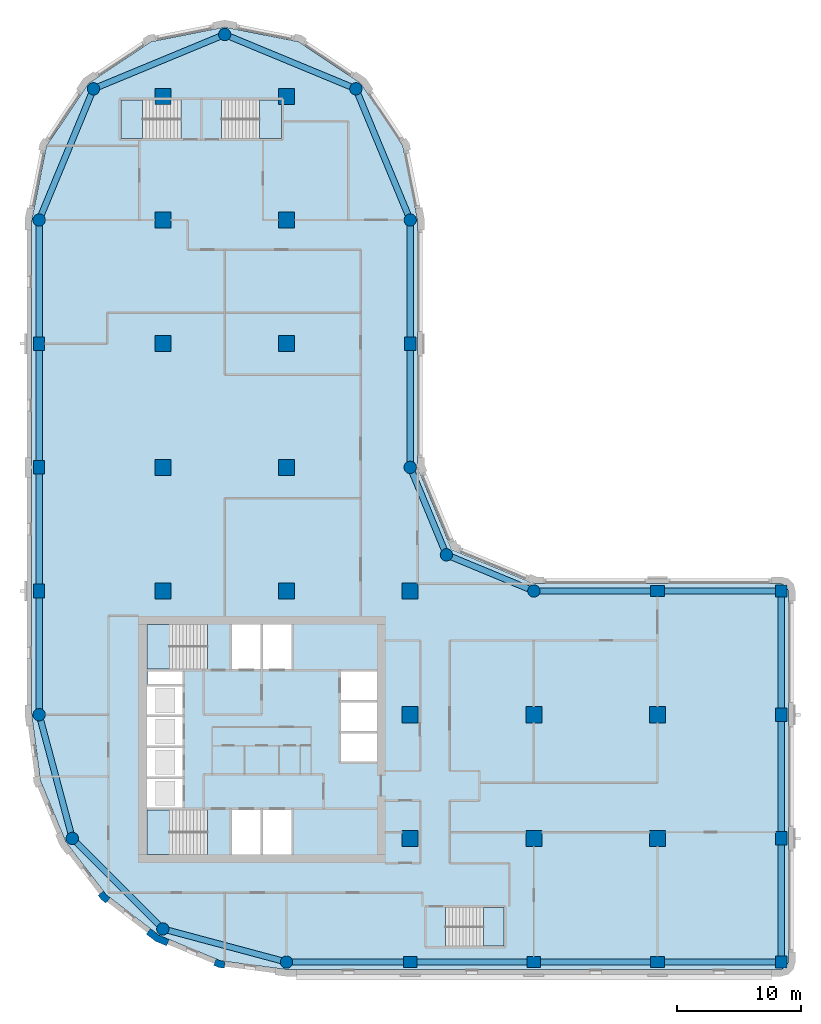
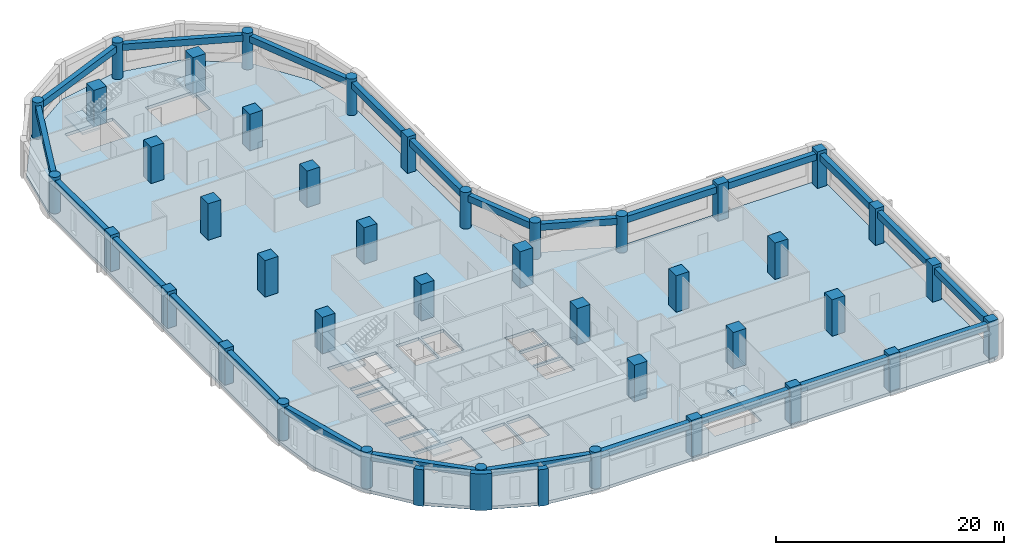
# One storey, part 1 of 9: 41 columns, 24 beams, 6 slabs, 3 walls, 5 elements without a shape of their own.
"""IFC4 building model written with IfcOpenShell, lengths in metres."""

import ifcopenshell
import ifcopenshell.guid

model = None  # the IFC model being written
_history = None  # IfcOwnerHistory: only IFC2X3 demands one
_inside = {}  # id of a spatial element -> (the spatial element, [elements in it])
_under = {}  # id of a project, library or spatial element -> (it, [spatial elements below it])
_declared = {}  # id of a project -> (the project, [libraries it declares])
_typed = {}  # id of a type object -> (the type object, [elements of that type])
_made_of = {}  # id of a material, layer set ... -> (it, [elements and type objects made of it])


def new_model(schema):
    """Start an empty IFC model of exactly this schema.

    Asked for "IFC4X3", IfcOpenShell would pick the latest addendum, in which some entities
    have other attributes; the version numbers below select the first issue.
    IFC2X3 requires an IfcOwnerHistory on every rooted entity: one is made here for all.
    """
    global model, _history
    if schema == "IFC4X3":
        model = ifcopenshell.file(schema_version=(4, 3, 0, 0))
    else:
        model = ifcopenshell.file(schema=schema)
    _inside.clear()
    _under.clear()
    _declared.clear()
    _typed.clear()
    _made_of.clear()
    _history = None
    if model.schema == "IFC2X3":
        org = make("IfcOrganization", Name="unknown")
        user = make(
            "IfcPersonAndOrganization",
            ThePerson=make("IfcPerson", FamilyName="unknown"),
            TheOrganization=org,
        )
        app = make(
            "IfcApplication",
            ApplicationDeveloper=org,
            Version="unknown",
            ApplicationFullName="unknown",
            ApplicationIdentifier="unknown",
        )
        _history = make(
            "IfcOwnerHistory",
            OwningUser=user,
            OwningApplication=app,
            ChangeAction="ADDED",
            CreationDate=0,
        )
    return model


def make(cls, **values):
    """One entity of the class cls with the attributes given. An attribute that is None is left unset."""
    return model.create_entity(
        cls, **{name: value for name, value in values.items() if value is not None}
    )


def rooted(cls, **values):
    """An entity with a GlobalId (a new one), such as an element, a storey or a relation."""
    return make(cls, GlobalId=ifcopenshell.guid.new(), OwnerHistory=_history, **values)


def si_unit(unit_type, name, prefix=None):
    """IfcSIUnit, for example si_unit("LENGTHUNIT", "METRE", prefix="MILLI")."""
    return make("IfcSIUnit", UnitType=unit_type, Prefix=prefix, Name=name)


def assignment(units):
    """IfcUnitAssignment: the units of a project."""
    return None if units is None else make("IfcUnitAssignment", Units=units)


def point(xyz):
    """IfcCartesianPoint."""
    return None if xyz is None else make("IfcCartesianPoint", Coordinates=xyz)


def direction(xyz):
    """IfcDirection."""
    return None if xyz is None else make("IfcDirection", DirectionRatios=xyz)


def frame(location, z_axis=None, x_axis=None):
    """IfcAxis2Placement3D, a coordinate frame: its origin and axes. An axis left out is left unset."""
    return make(
        "IfcAxis2Placement3D",
        Location=point(location),
        Axis=direction(z_axis),
        RefDirection=direction(x_axis),
    )


def frame_2d(location, x_axis=None):
    """IfcAxis2Placement2D, a coordinate frame in the plane: its origin and x axis."""
    return make(
        "IfcAxis2Placement2D", Location=point(location), RefDirection=direction(x_axis)
    )


def origin():
    """The frame at (0, 0, 0) with its axes left unset."""
    return frame((0.0, 0.0, 0.0))


def origin_2d():
    """The frame at (0, 0) in the plane with its x axis left unset."""
    return frame_2d((0.0, 0.0))


def place(relative_to, where):
    """IfcLocalPlacement: puts the frame where relative to a parent placement (None: the world)."""
    return make(
        "IfcLocalPlacement", PlacementRelTo=relative_to, RelativePlacement=where
    )


def context(
    kind, dimensions, precision=None, world=None, true_north=None, identifier=None
):
    """IfcGeometricRepresentationContext, for example the 3D "Model" context."""
    return make(
        "IfcGeometricRepresentationContext",
        ContextIdentifier=identifier,
        ContextType=kind,
        CoordinateSpaceDimension=dimensions,
        Precision=precision,
        WorldCoordinateSystem=world,
        TrueNorth=true_north,
    )


def subcontext(parent, identifier, kind, view, scale=None):
    """IfcGeometricRepresentationSubContext, for example "Body" below "Model"."""
    return make(
        "IfcGeometricRepresentationSubContext",
        ContextIdentifier=identifier,
        ContextType=kind,
        ParentContext=parent,
        TargetScale=scale,
        TargetView=view,
    )


def project(units=None, contexts=None):
    """IfcProject with its units and contexts."""
    return rooted(
        "IfcProject",
        Name="project",
        RepresentationContexts=contexts,
        UnitsInContext=assignment(units),
    )


def spatial(cls, under=None, at=None, **own):
    """A site, building, storey or space (cls), placed at a placement, below another one or the project."""
    s = rooted(cls, ObjectPlacement=at, **own)
    if under is not None:
        _under.setdefault(under.id(), (under, []))[1].append(s)
    return s


def polyline(points):
    """IfcPolyline through the points."""
    return make("IfcPolyline", Points=[point(p) for p in points])


def profile(cls, at=None, kind="AREA", **sizes):
    """A parametric profile (cls). Its sizes go by their IFC names, for example OverallWidth=200.0."""
    return make(cls, ProfileType=kind, Position=at, **sizes)


def rectangle(**sizes):
    """IfcRectangleProfileDef."""
    return profile("IfcRectangleProfileDef", **sizes)


def circle(**sizes):
    """IfcCircleProfileDef."""
    return profile("IfcCircleProfileDef", **sizes)


def outline(outer, holes=None, kind="AREA"):
    """IfcArbitraryClosedProfileDef: a profile drawn as a closed curve; with holes, ...WithVoids."""
    if holes is None:
        return make("IfcArbitraryClosedProfileDef", ProfileType=kind, OuterCurve=outer)
    return make(
        "IfcArbitraryProfileDefWithVoids",
        ProfileType=kind,
        OuterCurve=outer,
        InnerCurves=holes,
    )


def extrude(swept, where, along, depth):
    """IfcExtrudedAreaSolid: the profile swept, set in the frame where, extruded along a direction by depth."""
    return make(
        "IfcExtrudedAreaSolid",
        SweptArea=swept,
        Position=where,
        ExtrudedDirection=direction(along),
        Depth=depth,
    )


def shape(context_of_items, identifier, shape_type, items):
    """IfcShapeRepresentation: the items that make up one representation, for example the "Body"."""
    return make(
        "IfcShapeRepresentation",
        ContextOfItems=context_of_items,
        RepresentationIdentifier=identifier,
        RepresentationType=shape_type,
        Items=items,
    )


def material(Name=None, Category=None):
    """IfcMaterial."""
    return make("IfcMaterial", Name=Name, Category=Category)


def layer(
    of_material, thickness, ventilated=None, Name=None, Category=None, Priority=None
):
    """IfcMaterialLayer: one layer of a wall or slab, of a material (None: an air gap)."""
    return make(
        "IfcMaterialLayer",
        Material=of_material,
        LayerThickness=thickness,
        IsVentilated=ventilated,
        Name=Name,
        Category=Category,
        Priority=Priority,
    )


def layer_set(layers, Name=None):
    """IfcMaterialLayerSet."""
    return make("IfcMaterialLayerSet", MaterialLayers=layers, LayerSetName=Name)


def material_profile(
    of_material, cross_section, Name=None, Category=None, Priority=None
):
    """IfcMaterialProfile: a cross section and its material."""
    return make(
        "IfcMaterialProfile",
        Name=Name,
        Material=of_material,
        Profile=cross_section,
        Priority=Priority,
        Category=Category,
    )


def profile_set(profiles, Name=None, composite=None):
    """IfcMaterialProfileSet."""
    return make(
        "IfcMaterialProfileSet",
        Name=Name,
        MaterialProfiles=profiles,
        CompositeProfile=composite,
    )


def made_of(thing, what):
    """Note that an element or type object is made of a material, layer set ...; save() writes the relation."""
    if what is not None:
        _made_of.setdefault(what.id(), (what, []))[1].append(thing)
    return thing


def type_object(cls, material=None, **own):
    """A type object (cls), such as IfcWallType, which elements share."""
    return made_of(rooted(cls, **own), material)


def element(
    cls,
    number,
    at=None,
    inside=None,
    cuts=None,
    type_object=None,
    material=None,
    context=None,
    identifier="Body",
    shape_type=None,
    held_by="IfcProductDefinitionShape",
    body=None,
    shapes=None,
    **own,
):
    """One element of the class cls, such as IfcWall. Its Tag is "e" and its number.

    at: its placement. inside: the storey or other place that contains it. cuts: it is an
    opening in that element (IfcRelVoidsElement). A single representation is given by context,
    identifier, shape_type and body (its items); several are given by shapes. held_by: the class
    of the entity that holds the representations. save() writes the other relations.
    """
    e = rooted(cls, Tag="e%d" % number, ObjectPlacement=at, **own)
    if body is not None:
        shapes = [shape(context, identifier, shape_type, body)]
    if shapes is not None:
        e.Representation = make(held_by, Representations=shapes)
    if inside is not None:
        _inside.setdefault(inside.id(), (inside, []))[1].append(e)
    if cuts is not None:
        rooted(
            "IfcRelVoidsElement", RelatingBuildingElement=cuts, RelatedOpeningElement=e
        )
    if type_object is not None:
        _typed.setdefault(type_object.id(), (type_object, []))[1].append(e)
    return made_of(e, material)


def aggregate(whole, parts):
    """IfcRelAggregates: a whole, such as a stair, and the parts it consists of."""
    return rooted("IfcRelAggregates", RelatingObject=whole, RelatedObjects=parts)


def save(model, path):
    """Write the relations noted so far, then the file.

    IfcRelAggregates (storeys below a building ...), IfcRelContainedInSpatialStructure (elements
    in a storey), IfcRelDefinesByType, IfcRelAssociatesMaterial and IfcRelDeclares: one each for
    every whole, place, type object, material and project.
    """
    for whole, parts in _under.values():
        aggregate(whole, parts)
    for where, things in _inside.values():
        rooted(
            "IfcRelContainedInSpatialStructure",
            RelatedElements=things,
            RelatingStructure=where,
        )
    for kind, things in _typed.values():
        rooted("IfcRelDefinesByType", RelatedObjects=things, RelatingType=kind)
    for what, things in _made_of.values():
        rooted("IfcRelAssociatesMaterial", RelatedObjects=things, RelatingMaterial=what)
    for by, libraries in _declared.values():
        rooted("IfcRelDeclares", RelatingContext=by, RelatedDefinitions=libraries)
    model.write(path)


model = new_model("IFC4")

# Units and contexts
model_context = context("Model", 3, precision=1e-05, world=origin(), true_north=direction((0.0, 1.0)))
body_context = subcontext(model_context, "Body", "Model", "MODEL_VIEW")
ifc_project = project(units=[si_unit("LENGTHUNIT", "METRE"), si_unit("AREAUNIT", "SQUARE_METRE"), si_unit("VOLUMEUNIT", "CUBIC_METRE"), si_unit("PLANEANGLEUNIT", "RADIAN"), si_unit("MASSUNIT", "GRAM", prefix="KILO")], contexts=[model_context])

# Site, building, storey
site_placement = place(None, origin())
site = spatial("IfcSite", under=ifc_project, at=site_placement, CompositionType="ELEMENT")
building_placement = place(site_placement, origin())
building = spatial("IfcBuilding", under=site, at=building_placement, Name="Qaws Garden Tower", CompositionType="ELEMENT")
storey_placement = place(building_placement, frame((0.0, 0.0, 198.0)))
storey = spatial("IfcBuildingStorey", under=building, at=storey_placement, Name="L48", CompositionType="ELEMENT", Elevation=198.0)

# Columns
ifc_material_1 = material(Name="Concrete C70", Category="concrete")
ifc_material_profile_1 = material_profile(ifc_material_1, rectangle(XDim=1.10009765625, YDim=0.89990234375, at=origin_2d()), Name="RC 1100x900")
ifc_profile_set_1 = profile_set([ifc_material_profile_1], Name="Concrete C70")
column_type_1 = type_object("IfcColumnType", Name="Column RC 1100x900 C70", PredefinedType="COLUMN", material=ifc_profile_set_1)
for number, where, z_axis, x_axis, name in (
    (1, (30.0, 0.0, 0.0), (0.0, 0.0, 1.0), (1.0, 0.0, 0.0), "Column L48-002"),
    (2, (40.0, 0.0, 0.0), (0.0, 0.0, 1.0), (1.0, 0.0, 0.0), "Column L48-003"),
    (3, (50.0, 0.0, 0.0), (0.0, 0.0, 1.0), (1.0, 0.0, 0.0), "Column L48-004"),
    (4, (60.0, 10.0, 0.0), (0.0, 0.0, 1.0), (0.0, 1.0, 0.0), "Column L48-006"),
    (5, (60.0, 20.0, 0.0), (0.0, 0.0, 1.0), (0.0, 1.0, 0.0), "Column L48-007"),
    (6, (50.0, 30.0, 0.0), (0.0, 0.0, 1.0), (1.0, 0.0, 0.0), "Column L48-009"),
    (7, (30.0, 50.0, 0.0), (0.0, 0.0, 1.0), (0.0, 1.0, 0.0), "Column L48-013"),
    (8, (0.0, 50.0, 0.0), (0.0, 0.0, 1.0), (0.0, 1.0, 0.0), "Column L48-019"),
    (9, (0.0, 40.0, 0.0), (0.0, 0.0, 1.0), (0.0, 1.0, 0.0), "Column L48-020"),
    (10, (0.0, 30.0, 0.0), (0.0, 0.0, 1.0), (0.0, 1.0, 0.0), "Column L48-021"),
):
    element("IfcColumn", number, at=place(storey_placement, frame(where, z_axis=z_axis, x_axis=x_axis)), inside=storey, type_object=column_type_1, Name=name, PredefinedType="COLUMN", context=body_context, shape_type="SweptSolid", body=[
        extrude(rectangle(XDim=1.10009765625, YDim=0.89990234375, at=origin_2d()), origin(), (0.0, 0.0, 1.0), 3.89990234375),
    ])
ifc_material_2 = material(Name="Concrete C70", Category="concrete")
ifc_material_profile_2 = material_profile(ifc_material_2, rectangle(XDim=1.300048828125, YDim=1.300048828125, at=origin_2d()), Name="RC 1300x1300")
ifc_profile_set_2 = profile_set([ifc_material_profile_2], Name="Concrete C70")
column_type_2 = type_object("IfcColumnType", Name="Column RC 1300x1300 C70", PredefinedType="COLUMN", material=ifc_profile_set_2)
for number, where, z_axis, x_axis, name in (
    (11, (10.0, 30.0, 0.0), (0.0, 0.0, 1.0), (1.0, 0.0, 0.0), "Column L48-025"),
    (12, (10.0, 40.0, 0.0), (0.0, 0.0, 1.0), (1.0, 0.0, 0.0), "Column L48-026"),
    (13, (10.0, 50.0, 0.0), (0.0, 0.0, 1.0), (1.0, 0.0, 0.0), "Column L48-027"),
    (14, (10.0, 60.0, 0.0), (0.0, 0.0, 1.0), (1.0, 0.0, 0.0), "Column L48-028"),
    (15, (10.0, 70.0, 0.0), (0.0, 0.0, 1.0), (1.0, 0.0, 0.0), "Column L48-029"),
    (16, (20.0, 30.0, 0.0), (0.0, 0.0, 1.0), (1.0, 0.0, 0.0), "Column L48-030"),
    (17, (20.0, 40.0, 0.0), (0.0, 0.0, 1.0), (1.0, 0.0, 0.0), "Column L48-031"),
    (18, (20.0, 50.0, 0.0), (0.0, 0.0, 1.0), (1.0, 0.0, 0.0), "Column L48-032"),
    (19, (20.0, 60.0, 0.0), (0.0, 0.0, 1.0), (1.0, 0.0, 0.0), "Column L48-033"),
    (20, (20.0, 70.0, 0.0), (0.0, 0.0, 1.0), (1.0, 0.0, 0.0), "Column L48-034"),
    (21, (30.0, 10.0, 0.0), (0.0, 0.0, 1.0), (1.0, 0.0, 0.0), "Column L48-035"),
    (22, (30.0, 20.0, 0.0), (0.0, 0.0, 1.0), (1.0, 0.0, 0.0), "Column L48-036"),
    (23, (30.0, 30.0, 0.0), (0.0, 0.0, 1.0), (1.0, 0.0, 0.0), "Column L48-037"),
    (24, (40.0, 10.0, 0.0), (0.0, 0.0, 1.0), (1.0, 0.0, 0.0), "Column L48-038"),
    (25, (40.0, 20.0, 0.0), (0.0, 0.0, 1.0), (1.0, 0.0, 0.0), "Column L48-039"),
    (26, (50.0, 10.0, 0.0), (0.0, 0.0, 1.0), (1.0, 0.0, 0.0), "Column L48-040"),
    (27, (50.0, 20.0, 0.0), (0.0, 0.0, 1.0), (1.0, 0.0, 0.0), "Column L48-041"),
):
    element("IfcColumn", number, at=place(storey_placement, frame(where, z_axis=z_axis, x_axis=x_axis)), inside=storey, type_object=column_type_2, Name=name, PredefinedType="COLUMN", context=body_context, shape_type="SweptSolid", body=[
        extrude(rectangle(XDim=1.300048828125, YDim=1.300048828125, at=origin_2d()), origin(), (0.0, 0.0, 1.0), 3.89990234375),
    ])
ifc_material_3 = material(Name="Concrete C70", Category="concrete")
ifc_material_profile_3 = material_profile(ifc_material_3, rectangle(XDim=0.949951171875, YDim=0.949951171875, at=origin_2d()), Name="RC 950x950")
ifc_profile_set_3 = profile_set([ifc_material_profile_3], Name="Concrete C70")
column_type_3 = type_object("IfcColumnType", Name="Column RC 950x950 C70", PredefinedType="COLUMN", material=ifc_profile_set_3)
for number, where, z_axis, x_axis, name in (
    (28, (60.0, 0.0, 0.0), (0.0, 0.0, 1.0), (1.0, 0.0, 0.0), "Column L48-005"),
    (29, (60.0, 30.0, 0.0), (0.0, 0.0, 1.0), (1.0, 0.0, 0.0), "Column L48-008"),
):
    element("IfcColumn", number, at=place(storey_placement, frame(where, z_axis=z_axis, x_axis=x_axis)), inside=storey, type_object=column_type_3, Name=name, PredefinedType="COLUMN", context=body_context, shape_type="SweptSolid", body=[
        extrude(rectangle(XDim=0.949951171875, YDim=0.949951171875, at=origin_2d()), origin(), (0.0, 0.0, 1.0), 3.89990234375),
    ])
ifc_material_4 = material(Name="Concrete C70", Category="concrete")
ifc_material_profile_4 = material_profile(ifc_material_4, circle(Radius=0.5, at=origin_2d()), Name="RC D1000")
ifc_profile_set_4 = profile_set([ifc_material_profile_4], Name="Concrete C70")
column_type_4 = type_object("IfcColumnType", Name="Column RC D1000 C70", PredefinedType="COLUMN", material=ifc_profile_set_4)
for number, where, z_axis, x_axis, name in (
    (30, (20.0, 0.0, 0.0), (0.0, 0.0, 1.0), (1.0, 0.0, 0.0), "Column L48-001"),
    (31, (40.0, 30.0, 0.0), (0.0, 0.0, 1.0), (1.0, 0.0, 0.0), "Column L48-010"),
    (32, (32.928955078125, 32.928955078125, 0.0), (0.0, 0.0, 1.0), (1.0, 0.0, 0.0), "Column L48-011"),
    (33, (30.0, 40.0, 0.0), (0.0, 0.0, 1.0), (1.0, 0.0, 0.0), "Column L48-012"),
    (34, (30.0, 60.0, 0.0), (0.0, 0.0, 1.0), (1.0, 0.0, 0.0), "Column L48-014"),
    (35, (25.606689453125, 70.606689453125, 0.0), (0.0, 0.0, 1.0), (1.0, 0.0, 0.0), "Column L48-015"),
    (36, (15.0, 75.0, 0.0), (0.0, 0.0, 1.0), (1.0, 0.0, 0.0), "Column L48-016"),
    (37, (4.393310546875, 70.606689453125, 0.0), (0.0, 0.0, 1.0), (1.0, 0.0, 0.0), "Column L48-017"),
    (38, (0.0, 60.0, 0.0), (0.0, 0.0, 1.0), (1.0, 0.0, 0.0), "Column L48-018"),
    (39, (0.0, 20.0, 0.0), (0.0, 0.0, 1.0), (1.0, 0.0, 0.0), "Column L48-022"),
    (40, (2.679443359375, 10.0, 0.0), (0.0, 0.0, 1.0), (1.0, 0.0, 0.0), "Column L48-023"),
    (41, (10.0, 2.679443359375, 0.0), (0.0, 0.0, 1.0), (1.0, 0.0, 0.0), "Column L48-024"),
):
    element("IfcColumn", number, at=place(storey_placement, frame(where, z_axis=z_axis, x_axis=x_axis)), inside=storey, type_object=column_type_4, Name=name, PredefinedType="COLUMN", context=body_context, shape_type="SweptSolid", body=[
        extrude(circle(Radius=0.5, at=origin_2d()), origin(), (0.0, 0.0, 1.0), 3.89990234375),
    ])

# Beams
ifc_material_5 = material(Name="Concrete C45", Category="concrete")
ifc_material_profile_5 = material_profile(ifc_material_5, rectangle(XDim=0.5, YDim=0.699951171875, at=origin_2d()), Name="RC 500x700")
ifc_profile_set_5 = profile_set([ifc_material_profile_5], Name="Concrete C45")
beam_type = type_object("IfcBeamType", Name="Spandrel beam RC 500x700 C45", PredefinedType="SPANDREL", material=ifc_profile_set_5)
for number, where, z_axis, x_axis, name in (
    (42, (20.0, 0.0, 3.22998046875), (1.0, 0.0, 0.0), (0.0, 1.0, 0.0), "Spandrel beam L48-001"),
    (43, (30.0, 0.0, 3.22998046875), (1.0, 0.0, 0.0), (0.0, 1.0, 0.0), "Spandrel beam L48-002"),
    (44, (40.0, 0.0, 3.22998046875), (1.0, 0.0, 0.0), (0.0, 1.0, 0.0), "Spandrel beam L48-003"),
    (45, (50.0, 0.0, 3.22998046875), (1.0, 0.0, 0.0), (0.0, 1.0, 0.0), "Spandrel beam L48-004"),
    (46, (60.0, 0.0, 3.22998046875), (0.0, 1.0, 0.0), (-1.0, 0.0, 0.0), "Spandrel beam L48-005"),
    (47, (60.0, 10.0, 3.22998046875), (0.0, 1.0, 0.0), (-1.0, 0.0, 0.0), "Spandrel beam L48-006"),
    (48, (60.0, 20.0, 3.22998046875), (0.0, 1.0, 0.0), (-1.0, 0.0, 0.0), "Spandrel beam L48-007"),
    (49, (60.0, 30.0, 3.22998046875), (-1.0, 0.0, 0.0), (0.0, -1.0, 0.0), "Spandrel beam L48-008"),
    (50, (50.0, 30.0, 3.22998046875), (-1.0, 0.0, 0.0), (0.0, -1.0, 0.0), "Spandrel beam L48-009"),
):
    element("IfcBeam", number, at=place(storey_placement, frame(where, z_axis=z_axis, x_axis=x_axis)), inside=storey, type_object=beam_type, Name=name, PredefinedType="SPANDREL", context=body_context, shape_type="SweptSolid", body=[
        extrude(rectangle(XDim=0.5, YDim=0.699951171875, at=origin_2d()), origin(), (0.0, 0.0, 1.0), 10.0),
    ])
for number, where, z_axis, x_axis, name in (
    (51, (40.0, 30.0, 3.22998046875), (-0.923878037141, 0.382687042488, 0.0), (-0.382687042488, -0.923878037141, 0.0), "Spandrel beam L48-010"),
    (52, (32.928955078125, 32.928955078125, 3.22998046875), (-0.382687042488, 0.923878037141, 0.0), (-0.923878037141, -0.382687042488, 0.0), "Spandrel beam L48-011"),
):
    element("IfcBeam", number, at=place(storey_placement, frame(where, z_axis=z_axis, x_axis=x_axis)), inside=storey, type_object=beam_type, Name=name, PredefinedType="SPANDREL", context=body_context, shape_type="SweptSolid", body=[
        extrude(rectangle(XDim=0.5, YDim=0.699951171875, at=origin_2d()), origin(), (0.0, 0.0, 1.0), 7.653564453125),
    ])
for number, where, z_axis, x_axis, name in (
    (53, (30.0, 40.0, 3.22998046875), (0.0, 1.0, 0.0), (-1.0, 0.0, 0.0), "Spandrel beam L48-012"),
    (54, (30.0, 50.0, 3.22998046875), (0.0, 1.0, 0.0), (-1.0, 0.0, 0.0), "Spandrel beam L48-013"),
):
    element("IfcBeam", number, at=place(storey_placement, frame(where, z_axis=z_axis, x_axis=x_axis)), inside=storey, type_object=beam_type, Name=name, PredefinedType="SPANDREL", context=body_context, shape_type="SweptSolid", body=[
        extrude(rectangle(XDim=0.5, YDim=0.699951171875, at=origin_2d()), origin(), (0.0, 0.0, 1.0), 10.0),
    ])
for number, where, z_axis, x_axis, name in (
    (55, (30.0, 60.0, 3.22998046875), (-0.382674207535, 0.923883353507, 0.0), (-0.923883353507, -0.382674207535, 0.0), "Spandrel beam L48-014"),
    (56, (25.606689453125, 70.606689453125, 3.22998046875), (-0.923883353507, 0.382674207535, 0.0), (-0.382674207535, -0.923883353507, 0.0), "Spandrel beam L48-015"),
    (57, (15.0, 75.0, 3.22998046875), (-0.923883353507, -0.382674207535, 0.0), (0.382674207535, -0.923883353507, 0.0), "Spandrel beam L48-016"),
    (58, (4.393310546875, 70.606689453125, 3.22998046875), (-0.382674207535, -0.923883353507, 0.0), (0.923883353507, -0.382674207535, 0.0), "Spandrel beam L48-017"),
):
    element("IfcBeam", number, at=place(storey_placement, frame(where, z_axis=z_axis, x_axis=x_axis)), inside=storey, type_object=beam_type, Name=name, PredefinedType="SPANDREL", context=body_context, shape_type="SweptSolid", body=[
        extrude(rectangle(XDim=0.5, YDim=0.699951171875, at=origin_2d()), origin(), (0.0, 0.0, 1.0), 11.48046875),
    ])
for number, where, z_axis, x_axis, name in (
    (59, (0.0, 60.0, 3.22998046875), (0.0, -1.0, 0.0), (1.0, 0.0, 0.0), "Spandrel beam L48-018"),
    (60, (0.0, 50.0, 3.22998046875), (0.0, -1.0, 0.0), (1.0, 0.0, 0.0), "Spandrel beam L48-019"),
    (61, (0.0, 40.0, 3.22998046875), (0.0, -1.0, 0.0), (1.0, 0.0, 0.0), "Spandrel beam L48-020"),
    (62, (0.0, 30.0, 3.22998046875), (0.0, -1.0, 0.0), (1.0, 0.0, 0.0), "Spandrel beam L48-021"),
):
    element("IfcBeam", number, at=place(storey_placement, frame(where, z_axis=z_axis, x_axis=x_axis)), inside=storey, type_object=beam_type, Name=name, PredefinedType="SPANDREL", context=body_context, shape_type="SweptSolid", body=[
        extrude(rectangle(XDim=0.5, YDim=0.699951171875, at=origin_2d()), origin(), (0.0, 0.0, 1.0), 10.0),
    ])
for number, where, z_axis, x_axis, name in (
    (63, (0.0, 20.0, 3.22998046875), (0.25881466832, -0.965926999034, 0.0), (0.965926999034, 0.25881466832, 0.0), "Spandrel beam L48-022"),
    (64, (2.679443359375, 10.0, 3.22998046875), (0.707106781187, -0.707106781187, 0.0), (0.707106781187, 0.707106781187, 0.0), "Spandrel beam L48-023"),
    (65, (10.0, 2.679443359375, 3.22998046875), (0.965926999034, -0.25881466832, 0.0), (0.25881466832, 0.965926999034, 0.0), "Spandrel beam L48-024"),
):
    element("IfcBeam", number, at=place(storey_placement, frame(where, z_axis=z_axis, x_axis=x_axis)), inside=storey, type_object=beam_type, Name=name, PredefinedType="SPANDREL", context=body_context, shape_type="SweptSolid", body=[
        extrude(rectangle(XDim=0.5, YDim=0.699951171875, at=origin_2d()), origin(), (0.0, 0.0, 1.0), 10.352783203125),
    ])

# Slab
ifc_material_6 = material(Name="Concrete C40", Category="concrete")
ifc_layer_1 = layer(ifc_material_6, 0.320068359375)
ifc_layer_set_1 = layer_set([ifc_layer_1], Name="Concrete C40")
slab_type_1 = type_object("IfcSlabType", Name="Floor slab 320 C40", PredefinedType="FLOOR", material=ifc_layer_set_1)
slab_1_placement = place(storey_placement, frame((0.0, 0.0, -0.320068359375)))
element("IfcSlab", 66, at=slab_1_placement, inside=storey, type_object=slab_type_1, Name="Floor slab L48", PredefinedType="FLOOR", context=body_context, shape_type="SweptSolid", body=[
    extrude(outline(polyline([(0.101806640625, 14.668212890625), (-0.60009765625, 20.0), (-0.60009765625, 30.60009765625), (-0.60009765625, 60.0), (-0.60009765625, 60.0), (0.58740234375, 65.969970703125), (3.968994140625, 71.031005859375), (9.030029296875, 74.41259765625), (15.0, 75.60009765625), (20.969970703125, 74.41259765625), (26.031005859375, 71.031005859375), (29.41259765625, 65.969970703125), (30.60009765625, 60.0), (30.60009765625, 40.0), (33.353271484375, 33.353271484375), (40.0, 30.60009765625), (60.0, 30.60009765625), (60.42431640625, 30.42431640625), (60.60009765625, 30.0), (60.60009765625, 0.0), (60.42431640625, -0.42431640625), (60.0, -0.60009765625), (30.60009765625, -0.60009765625), (20.0, -0.60009765625), (14.668212890625, 0.101806640625), (9.699951171875, 2.159912109375), (5.43359375, 5.43359375), (2.159912109375, 9.699951171875), (0.101806640625, 14.668212890625)]), holes=[polyline([(13.599609375, 12.300048828125), (8.699951171875, 12.300048828125), (8.699951171875, 8.699951171875), (13.599609375, 8.699951171875), (13.599609375, 12.300048828125)]), polyline([(17.89990234375, 12.300048828125), (15.60009765625, 12.300048828125), (15.60009765625, 8.699951171875), (17.89990234375, 8.699951171875), (17.89990234375, 12.300048828125)]), polyline([(11.60009765625, 14.800048828125), (8.699951171875, 14.800048828125), (8.699951171875, 12.5), (11.60009765625, 12.5), (11.60009765625, 14.800048828125)]), polyline([(11.60009765625, 17.300048828125), (8.699951171875, 17.300048828125), (8.699951171875, 15.0), (11.60009765625, 15.0), (11.60009765625, 17.300048828125)]), polyline([(11.60009765625, 19.800048828125), (8.699951171875, 19.800048828125), (8.699951171875, 17.5), (11.60009765625, 17.5), (11.60009765625, 19.800048828125)]), polyline([(11.60009765625, 22.300048828125), (8.699951171875, 22.300048828125), (8.699951171875, 20.0), (11.60009765625, 20.0), (11.60009765625, 22.300048828125)]), polyline([(11.60009765625, 23.5), (8.800048828125, 23.5), (8.800048828125, 22.5), (11.60009765625, 22.5), (11.60009765625, 23.5)]), polyline([(13.599609375, 27.300048828125), (8.699951171875, 27.300048828125), (8.699951171875, 23.699951171875), (13.599609375, 23.699951171875), (13.599609375, 27.300048828125)]), polyline([(11.449462890625, 69.699951171875), (6.60009765625, 69.699951171875), (6.60009765625, 66.60009765625), (11.449462890625, 66.60009765625), (11.449462890625, 69.699951171875)]), polyline([(37.60009765625, 4.39990234375), (32.8505859375, 4.39990234375), (32.8505859375, 1.300048828125), (37.60009765625, 1.300048828125), (37.60009765625, 4.39990234375)]), polyline([(20.39990234375, 12.300048828125), (18.10009765625, 12.300048828125), (18.10009765625, 8.699951171875), (20.39990234375, 8.699951171875), (20.39990234375, 12.300048828125)]), polyline([(27.300048828125, 18.5), (24.39990234375, 18.5), (24.39990234375, 16.199951171875), (27.300048828125, 16.199951171875), (27.300048828125, 18.5)]), polyline([(27.300048828125, 21.0), (24.39990234375, 21.0), (24.39990234375, 18.699951171875), (27.300048828125, 18.699951171875), (27.300048828125, 21.0)]), polyline([(27.300048828125, 23.5), (24.39990234375, 23.5), (24.39990234375, 21.199951171875), (27.300048828125, 21.199951171875), (27.300048828125, 23.5)]), polyline([(17.89990234375, 27.300048828125), (15.60009765625, 27.300048828125), (15.60009765625, 23.699951171875), (17.89990234375, 23.699951171875), (17.89990234375, 27.300048828125)]), polyline([(20.39990234375, 23.699951171875), (20.39990234375, 27.300048828125), (18.10009765625, 27.300048828125), (18.10009765625, 23.699951171875), (20.39990234375, 23.699951171875)]), polyline([(19.60009765625, 66.60009765625), (19.60009765625, 69.699951171875), (14.75048828125, 69.699951171875), (14.75048828125, 66.60009765625), (19.60009765625, 66.60009765625)])]), origin(), (0.0, 0.0, 1.0), 0.320068359375),
])

# Stair, slab
ifc_material_7 = material(Name="Concrete C40", Category="concrete")
stair_type_1 = type_object("IfcStairType", Name="Exit stair 1500", PredefinedType="HALF_TURN_STAIR", material=ifc_material_7)
placement_1 = place(storey_placement, origin())
stair_1 = element("IfcStair", 67, at=placement_1, inside=storey, type_object=stair_type_1, Name="Stair 1", PredefinedType="HALF_TURN_STAIR")
ifc_material_8 = material(Name="Concrete C40", Category="concrete")
ifc_layer_2 = layer(ifc_material_8, 0.199951171875)
ifc_layer_set_2 = layer_set([ifc_layer_2], Name="Concrete C40")
slab_type_2 = type_object("IfcSlabType", Name="Stair landing 200", PredefinedType="LANDING", material=ifc_layer_set_2)
placement_2 = place(storey_placement, frame((0.0, 0.0, 1.75)))
slab_2 = element("IfcSlab", 68, at=placement_2, type_object=slab_type_2, Name="ST1 landing 1", PredefinedType="LANDING", context=body_context, shape_type="SweptSolid", body=[
    extrude(outline(polyline([(8.699951171875, 8.699951171875), (10.52001953125, 8.699951171875), (10.52001953125, 12.300048828125), (8.699951171875, 12.300048828125), (8.699951171875, 8.699951171875)])), origin(), (0.0, 0.0, 1.0), 0.199951171875),
])
aggregate(stair_1, [slab_2])

stair_2 = element("IfcStair", 69, at=placement_1, inside=storey, type_object=stair_type_1, Name="Stair 4", PredefinedType="HALF_TURN_STAIR")
slab_3 = element("IfcSlab", 70, at=placement_2, type_object=slab_type_2, Name="ST4 landing 1", PredefinedType="LANDING", context=body_context, shape_type="SweptSolid", body=[
    extrude(outline(polyline([(8.699951171875, 23.699951171875), (10.52001953125, 23.699951171875), (10.52001953125, 27.300048828125), (8.699951171875, 27.300048828125), (8.699951171875, 23.699951171875)])), origin(), (0.0, 0.0, 1.0), 0.199951171875),
])
aggregate(stair_2, [slab_3])

ifc_material_9 = material(Name="Concrete C40", Category="concrete")
stair_type_2 = type_object("IfcStairType", Name="Exit stair 1350", PredefinedType="HALF_TURN_STAIR", material=ifc_material_9)
stair_3 = element("IfcStair", 71, at=placement_1, inside=storey, type_object=stair_type_2, Name="Stair 5", PredefinedType="HALF_TURN_STAIR")
slab_4 = element("IfcSlab", 72, at=placement_2, type_object=slab_type_2, Name="ST5 landing 1", PredefinedType="LANDING", context=body_context, shape_type="SweptSolid", body=[
    extrude(outline(polyline([(35.929931640625, 1.300048828125), (37.60009765625, 1.300048828125), (37.60009765625, 4.39990234375), (35.929931640625, 4.39990234375), (35.929931640625, 1.300048828125)])), origin(), (0.0, 0.0, 1.0), 0.199951171875),
])
aggregate(stair_3, [slab_4])

stair_4 = element("IfcStair", 73, at=placement_1, inside=storey, type_object=stair_type_2, Name="Stair 6", PredefinedType="HALF_TURN_STAIR")
slab_5 = element("IfcSlab", 74, at=placement_2, type_object=slab_type_2, Name="ST6 landing 1", PredefinedType="LANDING", context=body_context, shape_type="SweptSolid", body=[
    extrude(outline(polyline([(6.60009765625, 66.60009765625), (8.3701171875, 66.60009765625), (8.3701171875, 69.699951171875), (6.60009765625, 69.699951171875), (6.60009765625, 66.60009765625)])), origin(), (0.0, 0.0, 1.0), 0.199951171875),
])
aggregate(stair_4, [slab_5])

stair_5 = element("IfcStair", 75, at=placement_1, inside=storey, type_object=stair_type_2, Name="Stair 7", PredefinedType="HALF_TURN_STAIR")
slab_6 = element("IfcSlab", 76, at=placement_2, type_object=slab_type_2, Name="ST7 landing 1", PredefinedType="LANDING", context=body_context, shape_type="SweptSolid", body=[
    extrude(outline(polyline([(17.830078125, 66.60009765625), (19.60009765625, 66.60009765625), (19.60009765625, 69.699951171875), (17.830078125, 69.699951171875), (17.830078125, 66.60009765625)])), origin(), (0.0, 0.0, 1.0), 0.199951171875),
])
aggregate(stair_5, [slab_6])

# Walls
ifc_material_10 = material(Name="Clay facing brick masonry", Category="masonry")
ifc_layer_3 = layer(ifc_material_10, 0.550048828125)
ifc_layer_set_3 = layer_set([ifc_layer_3], Name="Clay facing brick masonry")
wall_type_1 = type_object("IfcWallType", Name="Brick kink pier 550 x 600", PredefinedType="SOLIDWALL", material=ifc_layer_set_3)
element("IfcWall", 77, at=placement_1, inside=storey, type_object=wall_type_1, Name="E-L48-pier-28", PredefinedType="SOLIDWALL", context=body_context, shape_type="SweptSolid", body=[
    extrude(outline(polyline([(4.8818359375, 5.487060546875), (4.762939453125, 5.395751953125), (5.03759765625, 5.03759765625), (5.395751953125, 4.762939453125), (5.487060546875, 4.8818359375), (5.730712890625, 5.19921875), (5.429931640625, 5.429931640625), (5.19921875, 5.730712890625), (4.8818359375, 5.487060546875)])), origin(), (0.0, 0.0, 1.0), 3.89990234375),
])
element("IfcWall", 78, at=placement_1, inside=storey, type_object=wall_type_1, Name="E-L48-pier-30", PredefinedType="SOLIDWALL", context=body_context, shape_type="SweptSolid", body=[
    extrude(outline(polyline([(14.163818359375, -0.127685546875), (14.1064453125, -0.26611328125), (14.5234375, -0.43896484375), (14.970947265625, -0.497802734375), (14.990478515625, -0.34912109375), (15.042724609375, 0.04736328125), (14.6669921875, 0.096923828125), (14.31689453125, 0.241943359375), (14.163818359375, -0.127685546875)])), origin(), (0.0, 0.0, 1.0), 3.89990234375),
])
ifc_material_11 = material(Name="Clay facing brick masonry", Category="masonry")
ifc_layer_4 = layer(ifc_material_11, 0.550048828125)
ifc_layer_set_4 = layer_set([ifc_layer_4], Name="Clay facing brick masonry")
wall_type_2 = type_object("IfcWallType", Name="Brick pier 550 x 1600", PredefinedType="SOLIDWALL", material=ifc_layer_set_4)
element("IfcWall", 79, at=placement_1, inside=storey, type_object=wall_type_2, Name="E-L48-pier-29", PredefinedType="SOLIDWALL", context=body_context, shape_type="SweptSolid", body=[
    extrude(outline(polyline([(8.756591796875, 2.373046875), (8.665283203125, 2.254150390625), (9.419921875, 1.675048828125), (10.299072265625, 1.310791015625), (10.3564453125, 1.449462890625), (10.509521484375, 1.819091796875), (9.697509765625, 2.1552734375), (9.0, 2.6904296875), (8.756591796875, 2.373046875)])), origin(), (0.0, 0.0, 1.0), 3.89990234375),
])

save(model, "model.ifc")
